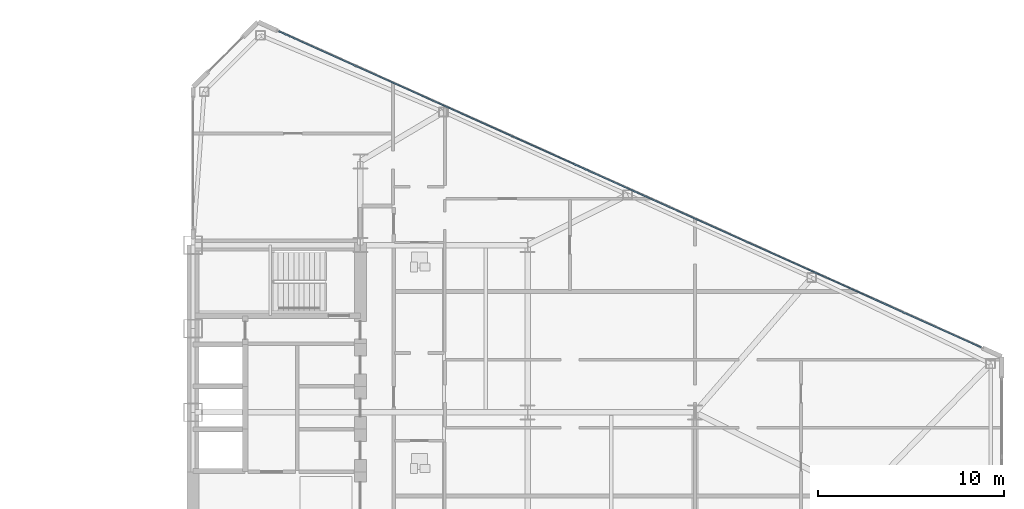
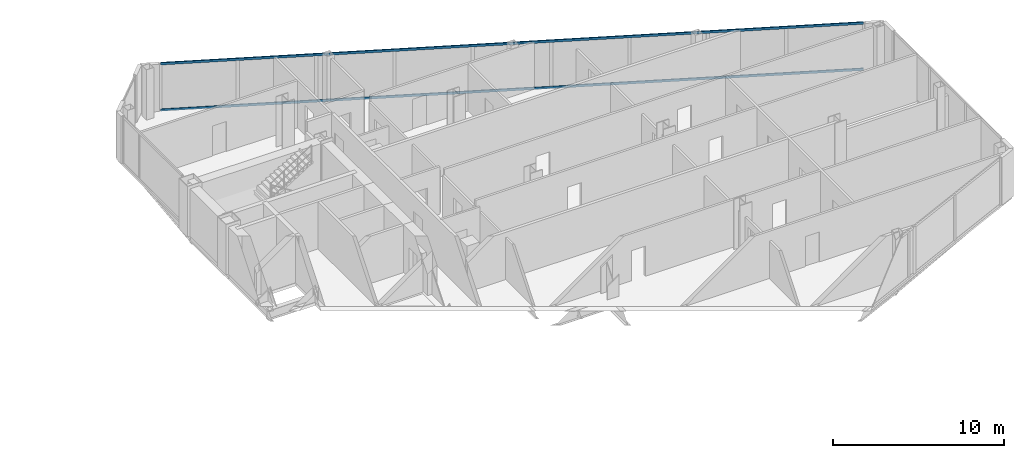
# One storey, part 14 of 27: 2 members, 1 element without a shape of its own.
"""IFC4 building model written with IfcOpenShell, lengths in metres."""

import ifcopenshell
import ifcopenshell.guid

model = None  # the IFC model being written
_history = None  # IfcOwnerHistory: only IFC2X3 demands one
_inside = {}  # id of a spatial element -> (the spatial element, [elements in it])
_under = {}  # id of a project, library or spatial element -> (it, [spatial elements below it])
_declared = {}  # id of a project -> (the project, [libraries it declares])
_typed = {}  # id of a type object -> (the type object, [elements of that type])
_made_of = {}  # id of a material, layer set ... -> (it, [elements and type objects made of it])


def new_model(schema):
    """Start an empty IFC model of exactly this schema.

    Asked for "IFC4X3", IfcOpenShell would pick the latest addendum, in which some entities
    have other attributes; the version numbers below select the first issue.
    IFC2X3 requires an IfcOwnerHistory on every rooted entity: one is made here for all.
    """
    global model, _history
    if schema == "IFC4X3":
        model = ifcopenshell.file(schema_version=(4, 3, 0, 0))
    else:
        model = ifcopenshell.file(schema=schema)
    _inside.clear()
    _under.clear()
    _declared.clear()
    _typed.clear()
    _made_of.clear()
    _history = None
    if model.schema == "IFC2X3":
        org = make("IfcOrganization", Name="unknown")
        user = make(
            "IfcPersonAndOrganization",
            ThePerson=make("IfcPerson", FamilyName="unknown"),
            TheOrganization=org,
        )
        app = make(
            "IfcApplication",
            ApplicationDeveloper=org,
            Version="unknown",
            ApplicationFullName="unknown",
            ApplicationIdentifier="unknown",
        )
        _history = make(
            "IfcOwnerHistory",
            OwningUser=user,
            OwningApplication=app,
            ChangeAction="ADDED",
            CreationDate=0,
        )
    return model


def make(cls, **values):
    """One entity of the class cls with the attributes given. An attribute that is None is left unset."""
    return model.create_entity(
        cls, **{name: value for name, value in values.items() if value is not None}
    )


def rooted(cls, **values):
    """An entity with a GlobalId (a new one), such as an element, a storey or a relation."""
    return make(cls, GlobalId=ifcopenshell.guid.new(), OwnerHistory=_history, **values)


def si_unit(unit_type, name, prefix=None):
    """IfcSIUnit, for example si_unit("LENGTHUNIT", "METRE", prefix="MILLI")."""
    return make("IfcSIUnit", UnitType=unit_type, Prefix=prefix, Name=name)


def assignment(units):
    """IfcUnitAssignment: the units of a project."""
    return None if units is None else make("IfcUnitAssignment", Units=units)


def point(xyz):
    """IfcCartesianPoint."""
    return None if xyz is None else make("IfcCartesianPoint", Coordinates=xyz)


def direction(xyz):
    """IfcDirection."""
    return None if xyz is None else make("IfcDirection", DirectionRatios=xyz)


def frame(location, z_axis=None, x_axis=None):
    """IfcAxis2Placement3D, a coordinate frame: its origin and axes. An axis left out is left unset."""
    return make(
        "IfcAxis2Placement3D",
        Location=point(location),
        Axis=direction(z_axis),
        RefDirection=direction(x_axis),
    )


def frame_2d(location, x_axis=None):
    """IfcAxis2Placement2D, a coordinate frame in the plane: its origin and x axis."""
    return make(
        "IfcAxis2Placement2D", Location=point(location), RefDirection=direction(x_axis)
    )


def origin():
    """The frame at (0, 0, 0) with its axes left unset."""
    return frame((0.0, 0.0, 0.0))


def origin_2d():
    """The frame at (0, 0) in the plane with its x axis left unset."""
    return frame_2d((0.0, 0.0))


def place(relative_to, where):
    """IfcLocalPlacement: puts the frame where relative to a parent placement (None: the world)."""
    return make(
        "IfcLocalPlacement", PlacementRelTo=relative_to, RelativePlacement=where
    )


def context(
    kind, dimensions, precision=None, world=None, true_north=None, identifier=None
):
    """IfcGeometricRepresentationContext, for example the 3D "Model" context."""
    return make(
        "IfcGeometricRepresentationContext",
        ContextIdentifier=identifier,
        ContextType=kind,
        CoordinateSpaceDimension=dimensions,
        Precision=precision,
        WorldCoordinateSystem=world,
        TrueNorth=true_north,
    )


def subcontext(parent, identifier, kind, view, scale=None):
    """IfcGeometricRepresentationSubContext, for example "Body" below "Model"."""
    return make(
        "IfcGeometricRepresentationSubContext",
        ContextIdentifier=identifier,
        ContextType=kind,
        ParentContext=parent,
        TargetScale=scale,
        TargetView=view,
    )


def project(units=None, contexts=None):
    """IfcProject with its units and contexts."""
    return rooted(
        "IfcProject",
        Name="project",
        RepresentationContexts=contexts,
        UnitsInContext=assignment(units),
    )


def spatial(cls, under=None, at=None, **own):
    """A site, building, storey or space (cls), placed at a placement, below another one or the project."""
    s = rooted(cls, ObjectPlacement=at, **own)
    if under is not None:
        _under.setdefault(under.id(), (under, []))[1].append(s)
    return s


def profile(cls, at=None, kind="AREA", **sizes):
    """A parametric profile (cls). Its sizes go by their IFC names, for example OverallWidth=200.0."""
    return make(cls, ProfileType=kind, Position=at, **sizes)


def rectangle(**sizes):
    """IfcRectangleProfileDef."""
    return profile("IfcRectangleProfileDef", **sizes)


def extrude(swept, where, along, depth):
    """IfcExtrudedAreaSolid: the profile swept, set in the frame where, extruded along a direction by depth."""
    return make(
        "IfcExtrudedAreaSolid",
        SweptArea=swept,
        Position=where,
        ExtrudedDirection=direction(along),
        Depth=depth,
    )


def shape(context_of_items, identifier, shape_type, items):
    """IfcShapeRepresentation: the items that make up one representation, for example the "Body"."""
    return make(
        "IfcShapeRepresentation",
        ContextOfItems=context_of_items,
        RepresentationIdentifier=identifier,
        RepresentationType=shape_type,
        Items=items,
    )


def source(mapping_origin, context_of_items, identifier, shape_type, items):
    """IfcRepresentationMap: a shape defined once, which mapped items show again and again."""
    return make(
        "IfcRepresentationMap",
        MappingOrigin=mapping_origin,
        MappedRepresentation=shape(context_of_items, identifier, shape_type, items),
    )


def transform(
    local_origin,
    x_axis=None,
    y_axis=None,
    z_axis=None,
    scale=None,
    scale2=None,
    scale3=None,
    uniform=True,
):
    """IfcCartesianTransformationOperator3D, or its non-uniform kind. x_axis, y_axis, z_axis: its Axis1, 2, 3."""
    if uniform:
        return make(
            "IfcCartesianTransformationOperator3D",
            Axis1=direction(x_axis),
            Axis2=direction(y_axis),
            LocalOrigin=point(local_origin),
            Scale=scale,
            Axis3=direction(z_axis),
        )
    return make(
        "IfcCartesianTransformationOperator3DnonUniform",
        Axis1=direction(x_axis),
        Axis2=direction(y_axis),
        LocalOrigin=point(local_origin),
        Scale=scale,
        Axis3=direction(z_axis),
        Scale2=scale2,
        Scale3=scale3,
    )


def mapped(mapping_source, mapping_target):
    """IfcMappedItem: shows the shape of a source again, moved by a transform."""
    return make(
        "IfcMappedItem", MappingSource=mapping_source, MappingTarget=mapping_target
    )


def material(Name=None, Category=None):
    """IfcMaterial."""
    return make("IfcMaterial", Name=Name, Category=Category)


def layer(
    of_material, thickness, ventilated=None, Name=None, Category=None, Priority=None
):
    """IfcMaterialLayer: one layer of a wall or slab, of a material (None: an air gap)."""
    return make(
        "IfcMaterialLayer",
        Material=of_material,
        LayerThickness=thickness,
        IsVentilated=ventilated,
        Name=Name,
        Category=Category,
        Priority=Priority,
    )


def layer_set(layers, Name=None):
    """IfcMaterialLayerSet."""
    return make("IfcMaterialLayerSet", MaterialLayers=layers, LayerSetName=Name)


def material_profile(
    of_material, cross_section, Name=None, Category=None, Priority=None
):
    """IfcMaterialProfile: a cross section and its material."""
    return make(
        "IfcMaterialProfile",
        Name=Name,
        Material=of_material,
        Profile=cross_section,
        Priority=Priority,
        Category=Category,
    )


def profile_set(profiles, Name=None, composite=None):
    """IfcMaterialProfileSet."""
    return make(
        "IfcMaterialProfileSet",
        Name=Name,
        MaterialProfiles=profiles,
        CompositeProfile=composite,
    )


def made_of(thing, what):
    """Note that an element or type object is made of a material, layer set ...; save() writes the relation."""
    if what is not None:
        _made_of.setdefault(what.id(), (what, []))[1].append(thing)
    return thing


def type_object(cls, material=None, **own):
    """A type object (cls), such as IfcWallType, which elements share."""
    return made_of(rooted(cls, **own), material)


def type_shapes(of_type, sources):
    """Give a type object the sources (RepresentationMaps) that its elements show as mapped items."""
    of_type.RepresentationMaps = sources


def element(
    cls,
    number,
    at=None,
    inside=None,
    cuts=None,
    type_object=None,
    material=None,
    context=None,
    identifier="Body",
    shape_type=None,
    held_by="IfcProductDefinitionShape",
    body=None,
    shapes=None,
    **own,
):
    """One element of the class cls, such as IfcWall. Its Tag is "e" and its number.

    at: its placement. inside: the storey or other place that contains it. cuts: it is an
    opening in that element (IfcRelVoidsElement). A single representation is given by context,
    identifier, shape_type and body (its items); several are given by shapes. held_by: the class
    of the entity that holds the representations. save() writes the other relations.
    """
    e = rooted(cls, Tag="e%d" % number, ObjectPlacement=at, **own)
    if body is not None:
        shapes = [shape(context, identifier, shape_type, body)]
    if shapes is not None:
        e.Representation = make(held_by, Representations=shapes)
    if inside is not None:
        _inside.setdefault(inside.id(), (inside, []))[1].append(e)
    if cuts is not None:
        rooted(
            "IfcRelVoidsElement", RelatingBuildingElement=cuts, RelatedOpeningElement=e
        )
    if type_object is not None:
        _typed.setdefault(type_object.id(), (type_object, []))[1].append(e)
    return made_of(e, material)


def aggregate(whole, parts):
    """IfcRelAggregates: a whole, such as a stair, and the parts it consists of."""
    return rooted("IfcRelAggregates", RelatingObject=whole, RelatedObjects=parts)


def save(model, path):
    """Write the relations noted so far, then the file.

    IfcRelAggregates (storeys below a building ...), IfcRelContainedInSpatialStructure (elements
    in a storey), IfcRelDefinesByType, IfcRelAssociatesMaterial and IfcRelDeclares: one each for
    every whole, place, type object, material and project.
    """
    for whole, parts in _under.values():
        aggregate(whole, parts)
    for where, things in _inside.values():
        rooted(
            "IfcRelContainedInSpatialStructure",
            RelatedElements=things,
            RelatingStructure=where,
        )
    for kind, things in _typed.values():
        rooted("IfcRelDefinesByType", RelatedObjects=things, RelatingType=kind)
    for what, things in _made_of.values():
        rooted("IfcRelAssociatesMaterial", RelatedObjects=things, RelatingMaterial=what)
    for by, libraries in _declared.values():
        rooted("IfcRelDeclares", RelatingContext=by, RelatedDefinitions=libraries)
    model.write(path)


model = new_model("IFC4")

# Units and contexts
model_context = context("Model", 3, precision=1e-05, world=origin(), true_north=direction((0.0, 1.0)))
body_context = subcontext(model_context, "Body", "Model", "MODEL_VIEW")
ifc_project = project(units=[si_unit("LENGTHUNIT", "METRE"), si_unit("AREAUNIT", "SQUARE_METRE"), si_unit("VOLUMEUNIT", "CUBIC_METRE"), si_unit("PLANEANGLEUNIT", "RADIAN"), si_unit("MASSUNIT", "GRAM", prefix="KILO")], contexts=[model_context])

# Site, building, storey
site_placement = place(None, origin())
site = spatial("IfcSite", under=ifc_project, at=site_placement, CompositionType="ELEMENT")
building_placement = place(site_placement, origin())
building = spatial("IfcBuilding", under=site, at=building_placement, Name="Seokmaru Belvedere", CompositionType="ELEMENT")
storey_placement = place(building_placement, frame((0.0, 0.0, 80.10009765625)))
storey = spatial("IfcBuildingStorey", under=building, at=storey_placement, Name="L21", CompositionType="ELEMENT", Elevation=80.10009765625)

# Curtain wall, members
ifc_material_1 = material(Name="Bronze Triple Insulating Glass", Category="glass")
ifc_layer = layer(ifc_material_1, 0.195068359375)
ifc_layer_set = layer_set([ifc_layer], Name="Bronze Triple Insulating Glass")
curtain_wall_type = type_object("IfcCurtainWallType", Name="Lower-Mid Tapered Curtain Wall System CW-3", PredefinedType="NOTDEFINED", material=ifc_layer_set)
curtain_wall_placement = place(storey_placement, origin())
curtain_wall = element("IfcCurtainWall", 1, at=curtain_wall_placement, inside=storey, type_object=curtain_wall_type, Name="L21 Curtain Wall EF3", PredefinedType="NOTDEFINED")
ifc_material_2 = material(Name="Anodised Bronze Aluminium", Category="aluminium")
ifc_material_profile = material_profile(ifc_material_2, rectangle(XDim=0.070068359375, YDim=0.1650390625, at=origin_2d()), Name="CW-T-70x165")
ifc_profile_set = profile_set([ifc_material_profile], Name="Anodised Bronze Aluminium")
member_type = type_object("IfcMemberType", Name="Bronze Unitised Transom 70x165", PredefinedType="USERDEFINED", material=ifc_profile_set)
shared_shape = source(origin(), body_context, "Body", "SweptSolid", [
    extrude(rectangle(XDim=0.070068359375, YDim=0.1650390625, at=origin_2d()), origin(), (0.0, 0.0, 1.0), 41.423583984375),
])
type_shapes(member_type, [shared_shape])
member_1_placement = place(storey_placement, frame((69.887451171875, 8.00048828125, 0.034912109375), z_axis=(-0.911918637916, 0.410371048956, 0.0), x_axis=(-0.410371048956, -0.911918637916, 0.0)))
member_1 = element("IfcMember", 2, at=member_1_placement, type_object=member_type, Name="CW:L21:EF3 Continuous Transom 1", ObjectType="TRANSOM", PredefinedType="USERDEFINED", context=body_context, shape_type="MappedRepresentation", body=[
    mapped(shared_shape, transform((0.0, 0.0, 0.0), scale=1.0)),
])
member_2_placement = place(storey_placement, frame((69.887451171875, 8.00048828125, 3.344970703125), z_axis=(-0.911918637916, 0.410371048956, 0.0), x_axis=(-0.410371048956, -0.911918637916, 0.0)))
member_2 = element("IfcMember", 3, at=member_2_placement, type_object=member_type, Name="CW:L21:EF3 Continuous Transom 2", ObjectType="TRANSOM", PredefinedType="USERDEFINED", context=body_context, shape_type="MappedRepresentation", body=[
    mapped(shared_shape, transform((0.0, 0.0, 0.0), scale=1.0)),
])
aggregate(curtain_wall, [member_1, member_2])

save(model, "model.ifc")
